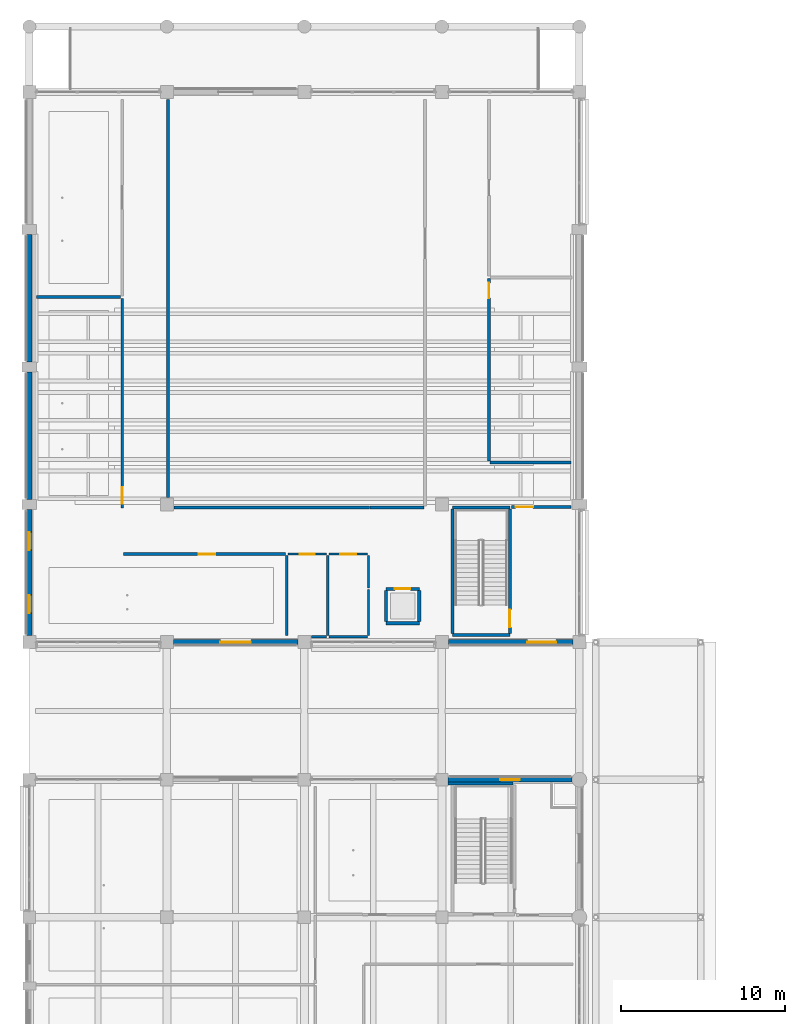
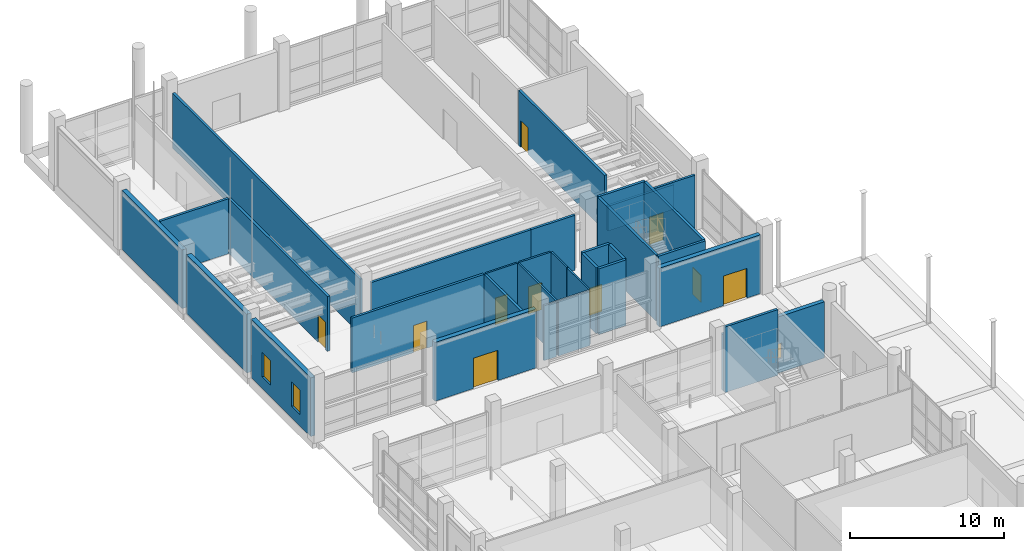
# One storey, part 63 of 140: 32 walls, 10 doors, 3 windows, 13 openings.
"""IFC4 building model written with IfcOpenShell, lengths in metres."""

from ifc_helpers import new_model, si_unit, direction, frame, frame_2d, origin, place, context, subcontext, project, spatial, rectangle, extrude, material, layer, layer_set, type_object, element, fill, save


model = new_model("IFC4")

# Units and contexts
model_context = context("Model", 3, precision=1e-05, world=origin(), true_north=direction((0.0, 1.0)))
body_context = subcontext(model_context, "Body", "Model", "MODEL_VIEW")
ifc_project = project(units=[si_unit("LENGTHUNIT", "METRE"), si_unit("AREAUNIT", "SQUARE_METRE"), si_unit("VOLUMEUNIT", "CUBIC_METRE"), si_unit("PLANEANGLEUNIT", "RADIAN"), si_unit("MASSUNIT", "GRAM", prefix="KILO")], contexts=[model_context])

# Site, building, storey
site_placement = place(None, origin())
site = spatial("IfcSite", under=ifc_project, at=site_placement, CompositionType="ELEMENT")
building_placement = place(site_placement, origin())
building = spatial("IfcBuilding", under=site, at=building_placement, Name="Telukmera Botanical Conservatory", CompositionType="ELEMENT")
storey_placement = place(building_placement, origin())
storey = spatial("IfcBuildingStorey", under=building, at=storey_placement, Name="L00", CompositionType="ELEMENT", Elevation=0.0)

# Wall, opening, door
ifc_material_1 = material(Name="Granite-faced precast concrete C40/50", Category="masonry")
ifc_layer_1 = layer(ifc_material_1, 0.340087890625)
ifc_layer_set_1 = layer_set([ifc_layer_1], Name="Granite-faced precast concrete C40/50")
wall_type_1 = type_object("IfcWallType", Name="Exterior Fluted Acoustic Precast Auditorium Wall 340", PredefinedType="SOLIDWALL", material=ifc_layer_set_1)
wall_1_placement = place(storey_placement, frame((17.201904296875, 83.199951171875, 0.0), z_axis=(0.0, 0.0, 1.0), x_axis=(1.0, 0.0, 0.0)))
wall_1 = element("IfcWall", 1, at=wall_1_placement, inside=storey, type_object=wall_type_1, Name="Exterior Precast Wall EW03 V2:L00:S2", PredefinedType="SOLIDWALL", context=body_context, shape_type="SweptSolid", body=[
    extrude(rectangle(XDim=7.59619140625, YDim=0.340087890625, at=frame_2d((3.798095703125, 0.0))), origin(), (0.0, 0.0, 1.0), 4.64990234375),
])
opening_1_placement = place(wall_1_placement, frame((2.873046875, 0.0, 0.0)))
opening_1 = element("IfcOpeningElement", 2, at=opening_1_placement, cuts=wall_1, Name="Opening D010", PredefinedType="OPENING", context=body_context, shape_type="SweptSolid", body=[
    extrude(rectangle(XDim=1.85009765625, YDim=2.39990234375, at=frame_2d((0.925048828125, 1.199951171875))), frame((0.0, 0.179931640625, 0.0), z_axis=(0.0, -1.0, 0.0), x_axis=(1.0, 0.0, 0.0)), (0.0, 0.0, 1.0), 0.360107421875),
])
ifc_material_2 = material(Name="Thermally broken anodised aluminium glazed door assembly", Category="aluminium")
door_type_1 = type_object("IfcDoorType", Name="Auditorium South Foyer Courtyard Exit Door 1850x2400", OperationType="NOTDEFINED", PredefinedType="DOOR", material=ifc_material_2)
door_1_placement = place(opening_1_placement, frame((1.85009765625, 0.0, 0.0), z_axis=(0.0, 0.0, 1.0), x_axis=(-1.0, 0.0, 0.0)))
door_1 = element("IfcDoor", 3, at=door_1_placement, inside=storey, type_object=door_type_1, Name="Exterior Door D010", OperationType="DOUBLE_DOOR_SINGLE_SWING", OverallHeight=2.39990234375, OverallWidth=1.85009765625, PredefinedType="DOOR", context=body_context, shape_type="SweptSolid", body=[
    extrude(rectangle(XDim=1.85009765625, YDim=2.39990234375, at=frame_2d((0.925048828125, 1.199951171875))), frame((0.0, 0.02490234375, 0.0), z_axis=(0.0, -1.0, 0.0), x_axis=(1.0, 0.0, 0.0)), (0.0, 0.0, 1.0), 0.050048828125),
])
fill(opening_1, door_1)

wall_2_placement = place(storey_placement, frame((34.001953125, 83.199951171875, 0.0), z_axis=(0.0, 0.0, 1.0), x_axis=(1.0, 0.0, 0.0)))
wall_2 = element("IfcWall", 4, at=wall_2_placement, inside=storey, type_object=wall_type_1, Name="Exterior Precast Wall EW03 V2:L00:S4", PredefinedType="SOLIDWALL", context=body_context, shape_type="SweptSolid", body=[
    extrude(rectangle(XDim=7.595947265625, YDim=0.340087890625, at=frame_2d((3.7978515625, 0.0))), origin(), (0.0, 0.0, 1.0), 4.64990234375),
])
opening_2_placement = place(wall_2_placement, frame((4.822998046875, 0.0, 0.0)))
opening_2 = element("IfcOpeningElement", 5, at=opening_2_placement, cuts=wall_2, Name="Opening D013", PredefinedType="OPENING", context=body_context, shape_type="SweptSolid", body=[
    extrude(rectangle(XDim=1.75, YDim=2.35009765625, at=frame_2d((0.875, 1.175048828125))), frame((0.0, 0.179931640625, 0.0), z_axis=(0.0, -1.0, 0.0), x_axis=(1.0, 0.0, 0.0)), (0.0, 0.0, 1.0), 0.360107421875),
])
door_type_2 = type_object("IfcDoorType", Name="Protected Stair Exit Vestibule Final Exit Door 1750x2350", OperationType="NOTDEFINED", PredefinedType="DOOR", material=ifc_material_2)
door_2_placement = place(opening_2_placement, frame((1.75, 0.0, 0.0), z_axis=(0.0, 0.0, 1.0), x_axis=(-1.0, 0.0, 0.0)))
door_2 = element("IfcDoor", 6, at=door_2_placement, inside=storey, type_object=door_type_2, Name="Exterior Door D013", OperationType="DOUBLE_DOOR_SINGLE_SWING", OverallHeight=2.35009765625, OverallWidth=1.75, PredefinedType="DOOR", context=body_context, shape_type="SweptSolid", body=[
    extrude(rectangle(XDim=1.75, YDim=2.35009765625, at=frame_2d((0.875, 1.175048828125))), frame((0.0, 0.02490234375, 0.0), z_axis=(0.0, -1.0, 0.0), x_axis=(1.0, 0.0, 0.0)), (0.0, 0.0, 1.0), 0.050048828125),
])
fill(opening_2, door_2)

# Wall, openings, windows
wall_3_placement = place(storey_placement, frame((8.39990234375, 83.60205078125, 0.0), z_axis=(0.0, 0.0, 1.0), x_axis=(0.0, 1.0, 0.0)))
wall_3 = element("IfcWall", 7, at=wall_3_placement, inside=storey, type_object=wall_type_1, Name="Exterior Precast Wall EW03 V2:L00:W1", PredefinedType="SOLIDWALL", context=body_context, shape_type="SweptSolid", body=[
    extrude(rectangle(XDim=7.696044921875, YDim=0.340087890625, at=frame_2d((3.84814453125, 0.0))), origin(), (0.0, 0.0, 1.0), 4.64990234375),
])
opening_3_placement = place(wall_3_placement, frame((1.3740234375, 0.0, 0.89990234375)))
opening_3 = element("IfcOpeningElement", 8, at=opening_3_placement, cuts=wall_3, Name="Opening W02", PredefinedType="OPENING", context=body_context, shape_type="SweptSolid", body=[
    extrude(rectangle(XDim=1.10009765625, YDim=1.949951171875, at=frame_2d((0.550048828125, 0.97509765625))), frame((0.0, 0.179931640625, 0.0), z_axis=(0.0, -1.0, 0.0), x_axis=(1.0, 0.0, 0.0)), (0.0, 0.0, 1.0), 0.360107421875),
])
opening_4_placement = place(wall_3_placement, frame((5.221923828125, 0.0, 0.89990234375)))
opening_4 = element("IfcOpeningElement", 9, at=opening_4_placement, cuts=wall_3, Name="Opening W02", PredefinedType="OPENING", context=body_context, shape_type="SweptSolid", body=[
    extrude(rectangle(XDim=1.10009765625, YDim=1.949951171875, at=frame_2d((0.550048828125, 0.97509765625))), frame((0.0, 0.179931640625, 0.0), z_axis=(0.0, -1.0, 0.0), x_axis=(1.0, 0.0, 0.0)), (0.0, 0.0, 1.0), 0.360107421875),
])
ifc_material_3 = material(Name="Thermally broken anodised aluminium frame with low-E double glazing", Category="aluminium")
window_type_1 = type_object("IfcWindowType", Name="Single Fixed Exhibition Pier Window 1100x1950", PartitioningType="SINGLE_PANEL", PredefinedType="WINDOW", material=ifc_material_3)
window_1_placement = place(opening_3_placement, origin())
window_1 = element("IfcWindow", 10, at=window_1_placement, inside=storey, type_object=window_type_1, Name="Facade Window W02 V2:L00:W1 1", OverallHeight=1.949951171875, OverallWidth=1.10009765625, PartitioningType="SINGLE_PANEL", PredefinedType="WINDOW", context=body_context, shape_type="SweptSolid", body=[
    extrude(rectangle(XDim=1.10009765625, YDim=1.949951171875, at=frame_2d((0.550048828125, 0.97509765625))), frame((0.0, 0.030029296875, 0.0), z_axis=(0.0, -1.0, 0.0), x_axis=(1.0, 0.0, 0.0)), (0.0, 0.0, 1.0), 0.06005859375),
])
fill(opening_3, window_1)
window_2_placement = place(opening_4_placement, origin())
window_2 = element("IfcWindow", 11, at=window_2_placement, inside=storey, type_object=window_type_1, Name="Facade Window W02 V2:L00:W1 2", OverallHeight=1.949951171875, OverallWidth=1.10009765625, PartitioningType="SINGLE_PANEL", PredefinedType="WINDOW", context=body_context, shape_type="SweptSolid", body=[
    extrude(rectangle(XDim=1.10009765625, YDim=1.949951171875, at=frame_2d((0.550048828125, 0.97509765625))), frame((0.0, 0.030029296875, 0.0), z_axis=(0.0, -1.0, 0.0), x_axis=(1.0, 0.0, 0.0)), (0.0, 0.0, 1.0), 0.06005859375),
])
fill(opening_4, window_2)

# Walls
for number, where, z_axis, x_axis, name in (
    (12, (8.39990234375, 91.902099609375, 0.0), (0.0, 0.0, 1.0), (0.0, 1.0, 0.0), "Exterior Precast Wall EW03 V2:L00:W2"),
    (13, (8.39990234375, 100.302001953125, 0.0), (0.0, 0.0, 1.0), (0.0, 1.0, 0.0), "Exterior Precast Wall EW03 V2:L00:W3"),
):
    element("IfcWall", number, at=place(storey_placement, frame(where, z_axis=z_axis, x_axis=x_axis)), inside=storey, type_object=wall_type_1, Name=name, PredefinedType="SOLIDWALL", context=body_context, shape_type="SweptSolid", body=[
        extrude(rectangle(XDim=7.7958984375, YDim=0.340087890625, at=frame_2d((3.89794921875, 0.0))), origin(), (0.0, 0.0, 1.0), 4.64990234375),
    ])

# Wall, opening, window
ifc_material_4 = material(Name="Terracotta-faced precast concrete C40/50", Category="masonry")
ifc_layer_2 = layer(ifc_material_4, 0.300048828125)
ifc_layer_set_2 = layer_set([ifc_layer_2], Name="Terracotta-faced precast concrete C40/50")
wall_type_2 = type_object("IfcWallType", Name="Exterior Polychrome Terracotta Precast Wall 300", PredefinedType="SOLIDWALL", material=ifc_layer_set_2)
wall_4_placement = place(storey_placement, frame((33.97705078125, 74.800048828125, 0.0), z_axis=(0.0, 0.0, 1.0), x_axis=(1.0, 0.0, 0.0)))
wall_4 = element("IfcWall", 14, at=wall_4_placement, inside=storey, type_object=wall_type_2, Name="Exterior Precast Wall EW02 V3:L00:N4", PredefinedType="SOLIDWALL", context=body_context, shape_type="SweptSolid", body=[
    extrude(rectangle(XDim=7.571044921875, YDim=0.300048828125, at=frame_2d((3.78564453125, 0.0))), origin(), (0.0, 0.0, 1.0), 4.449951171875),
])
opening_5_placement = place(wall_4_placement, frame((3.185546875, 0.0, 1.10009765625)))
opening_5 = element("IfcOpeningElement", 15, at=opening_5_placement, cuts=wall_4, Name="Opening W03", PredefinedType="OPENING", context=body_context, shape_type="SweptSolid", body=[
    extrude(rectangle(XDim=1.199951171875, YDim=1.199951171875, at=frame_2d((0.60009765625, 0.60009765625))), frame((0.0, 0.159912109375, 0.0), z_axis=(0.0, -1.0, 0.0), x_axis=(1.0, 0.0, 0.0)), (0.0, 0.0, 1.0), 0.320068359375),
])
window_type_2 = type_object("IfcWindowType", Name="Postmodern Square Ocular Feature Window 1200x1200", PartitioningType="SINGLE_PANEL", PredefinedType="WINDOW", material=ifc_material_3)
window_3_placement = place(opening_5_placement, origin())
window_3 = element("IfcWindow", 16, at=window_3_placement, inside=storey, type_object=window_type_2, Name="Facade Window W03 V3:L00:N4", OverallHeight=1.199951171875, OverallWidth=1.199951171875, PartitioningType="SINGLE_PANEL", PredefinedType="WINDOW", context=body_context, shape_type="SweptSolid", body=[
    extrude(rectangle(XDim=1.199951171875, YDim=1.199951171875, at=frame_2d((0.60009765625, 0.60009765625))), frame((0.0, 0.030029296875, 0.0), z_axis=(0.0, -1.0, 0.0), x_axis=(1.0, 0.0, 0.0)), (0.0, 0.0, 1.0), 0.06005859375),
])
fill(opening_5, window_3)

# Wall
ifc_material_5 = material(Name="Blockwork acoustic masonry", Category="masonry")
ifc_layer_3 = layer(ifc_material_5, 0.179931640625)
ifc_layer_set_3 = layer_set([ifc_layer_3], Name="Blockwork acoustic masonry")
wall_type_3 = type_object("IfcWallType", Name="WT-AUD-180", PredefinedType="PARTITIONING", material=ifc_layer_set_3)
wall_5_placement = place(storey_placement, frame((29.199951171875, 91.425048828125, 0.0), z_axis=(0.0, 0.0, 1.0), x_axis=(1.0, 0.0, 0.0)))
element("IfcWall", 17, at=wall_5_placement, inside=storey, type_object=wall_type_3, Name="L00 Interior Partition 46", PredefinedType="PARTITIONING", context=body_context, shape_type="SweptSolid", body=[
    extrude(rectangle(XDim=3.300048828125, YDim=0.179931640625, at=frame_2d((1.64990234375, 0.0))), origin(), (0.0, 0.0, 1.0), 4.35009765625),
])

# Wall, opening, door
wall_6_placement = place(storey_placement, frame((14.14990234375, 88.574951171875, 0.0), z_axis=(0.0, 0.0, 1.0), x_axis=(1.0, 0.0, 0.0)))
wall_6 = element("IfcWall", 18, at=wall_6_placement, inside=storey, type_object=wall_type_3, Name="L00 Interior Partition 49", PredefinedType="PARTITIONING", context=body_context, shape_type="SweptSolid", body=[
    extrude(rectangle(XDim=9.900146484375, YDim=0.179931640625, at=frame_2d((4.9501953125, 0.0))), origin(), (0.0, 0.0, 1.0), 4.35009765625),
])
opening_6_placement = place(wall_6_placement, frame((4.60009765625, 0.0, 0.0)))
opening_6 = element("IfcOpeningElement", 19, at=opening_6_placement, cuts=wall_6, Name="Opening ID14", PredefinedType="OPENING", context=body_context, shape_type="SweptSolid", body=[
    extrude(rectangle(XDim=1.0, YDim=2.14990234375, at=frame_2d((0.5, 1.074951171875))), frame((0.0, 0.099853515625, 0.0), z_axis=(0.0, -1.0, 0.0), x_axis=(1.0, 0.0, 0.0)), (0.0, 0.0, 1.0), 0.199951171875),
])
ifc_material_6 = material(Name="Acoustic timber office door", Category="wood")
door_type_3 = type_object("IfcDoorType", Name="DT-WRT-100", OperationType="NOTDEFINED", PredefinedType="DOOR", material=ifc_material_6)
door_3_placement = place(opening_6_placement, frame((1.0, 0.0, 0.0), z_axis=(0.0, 0.0, 1.0), x_axis=(-1.0, 0.0, 0.0)))
door_3 = element("IfcDoor", 20, at=door_3_placement, inside=storey, type_object=door_type_3, Name="L00 Auditorium Foyer Door", OperationType="SINGLE_SWING_RIGHT", OverallHeight=2.14990234375, OverallWidth=1.0, PredefinedType="DOOR", context=body_context, shape_type="SweptSolid", body=[
    extrude(rectangle(XDim=1.0, YDim=2.14990234375, at=frame_2d((0.5, 1.074951171875))), frame((0.0, 0.02490234375, 0.0), z_axis=(0.0, -1.0, 0.0), x_axis=(1.0, 0.0, 0.0)), (0.0, 0.0, 1.0), 0.050048828125),
])
fill(opening_6, door_3)

# Walls
wall_7_placement = place(storey_placement, frame((17.22998046875, 91.425048828125, 0.0), z_axis=(0.0, 0.0, 1.0), x_axis=(1.0, 0.0, 0.0)))
element("IfcWall", 21, at=wall_7_placement, inside=storey, type_object=wall_type_3, Name="L00 Interior Partition 50", PredefinedType="PARTITIONING", context=body_context, shape_type="SweptSolid", body=[
    extrude(rectangle(XDim=11.9599609375, YDim=0.179931640625, at=frame_2d((5.97998046875, 0.0))), origin(), (0.0, 0.0, 1.0), 4.35009765625),
])
wall_8_placement = place(storey_placement, frame((24.125, 83.60009765625, 0.0), z_axis=(0.0, 0.0, 1.0), x_axis=(0.0, 1.0, 0.0)))
element("IfcWall", 22, at=wall_8_placement, inside=storey, type_object=wall_type_3, Name="L00 Interior Partition 53", PredefinedType="PARTITIONING", context=body_context, shape_type="SweptSolid", body=[
    extrude(rectangle(XDim=4.875, YDim=0.179931640625, at=frame_2d((2.4375, 0.0))), origin(), (0.0, 0.0, 1.0), 4.35009765625),
])
wall_9_placement = place(storey_placement, frame((16.875, 92.030029296875, 0.0), z_axis=(0.0, 0.0, 1.0), x_axis=(0.0, 1.0, 0.0)))
element("IfcWall", 23, at=wall_9_placement, inside=storey, type_object=wall_type_3, Name="L00 Interior Partition 54", PredefinedType="PARTITIONING", context=body_context, shape_type="SweptSolid", body=[
    extrude(rectangle(XDim=24.320068359375, YDim=0.179931640625, at=frame_2d((12.16015625, 0.0))), origin(), (0.0, 0.0, 1.0), 4.35009765625),
])

# Wall, opening, door
wall_10_placement = place(storey_placement, frame((14.074951171875, 91.39990234375, 0.0), z_axis=(0.0, 0.0, 1.0), x_axis=(0.0, 1.0, 0.0)))
wall_10 = element("IfcWall", 24, at=wall_10_placement, inside=storey, type_object=wall_type_3, Name="L00 Interior Partition 56", PredefinedType="PARTITIONING", context=body_context, shape_type="SweptSolid", body=[
    extrude(rectangle(XDim=12.800048828125, YDim=0.179931640625, at=frame_2d((6.39990234375, 0.0))), origin(), (0.0, 0.0, 1.0), 4.35009765625),
])
opening_7_placement = place(wall_10_placement, frame((0.25, 0.0, 0.0)))
opening_7 = element("IfcOpeningElement", 25, at=opening_7_placement, cuts=wall_10, Name="Opening ID14", PredefinedType="OPENING", context=body_context, shape_type="SweptSolid", body=[
    extrude(rectangle(XDim=1.0, YDim=2.14990234375, at=frame_2d((0.5, 1.074951171875))), frame((0.0, 0.099853515625, 0.0), z_axis=(0.0, -1.0, 0.0), x_axis=(1.0, 0.0, 0.0)), (0.0, 0.0, 1.0), 0.199951171875),
])
door_4_placement = place(opening_7_placement, origin())
door_4 = element("IfcDoor", 26, at=door_4_placement, inside=storey, type_object=door_type_3, Name="L00 Auditorium Green Room Door", OperationType="SINGLE_SWING_RIGHT", OverallHeight=2.14990234375, OverallWidth=1.0, PredefinedType="DOOR", context=body_context, shape_type="SweptSolid", body=[
    extrude(rectangle(XDim=1.0, YDim=2.14990234375, at=frame_2d((0.5, 1.074951171875))), frame((0.0, 0.02490234375, 0.0), z_axis=(0.0, -1.0, 0.0), x_axis=(1.0, 0.0, 0.0)), (0.0, 0.0, 1.0), 0.050048828125),
])
fill(opening_7, door_4)

# Walls
wall_11_placement = place(storey_placement, frame((8.85009765625, 104.27490234375, 0.0), z_axis=(0.0, 0.0, 1.0), x_axis=(1.0, 0.0, 0.0)))
element("IfcWall", 27, at=wall_11_placement, inside=storey, type_object=wall_type_3, Name="L00 Interior Partition 58", PredefinedType="PARTITIONING", context=body_context, shape_type="SweptSolid", body=[
    extrude(rectangle(XDim=5.125, YDim=0.179931640625, at=frame_2d((2.5625, 0.0))), origin(), (0.0, 0.0, 1.0), 4.35009765625),
])
wall_12_placement = place(storey_placement, frame((36.550048828125, 94.175048828125, 0.0), z_axis=(0.0, 0.0, 1.0), x_axis=(1.0, 0.0, 0.0)))
element("IfcWall", 28, at=wall_12_placement, inside=storey, type_object=wall_type_3, Name="L00 Interior Partition 59", PredefinedType="PARTITIONING", context=body_context, shape_type="SweptSolid", body=[
    extrude(rectangle(XDim=4.949951171875, YDim=0.179931640625, at=frame_2d((2.47509765625, 0.0))), origin(), (0.0, 0.0, 1.0), 1.962890625),
])

# Wall, opening, door
wall_13_placement = place(storey_placement, frame((36.47509765625, 94.27490234375, 0.0), z_axis=(0.0, 0.0, 1.0), x_axis=(0.0, 1.0, 0.0)))
wall_13 = element("IfcWall", 29, at=wall_13_placement, inside=storey, type_object=wall_type_3, Name="L00 Interior Partition 60", PredefinedType="PARTITIONING", context=body_context, shape_type="SweptSolid", body=[
    extrude(rectangle(XDim=11.125, YDim=0.179931640625, at=frame_2d((5.5625, 0.0))), origin(), (0.0, 0.0, 1.0), 4.35009765625),
])
opening_8_placement = place(wall_13_placement, frame((9.93505859375, 0.0, 0.0)))
opening_8 = element("IfcOpeningElement", 30, at=opening_8_placement, cuts=wall_13, Name="Opening ID16", PredefinedType="OPENING", context=body_context, shape_type="SweptSolid", body=[
    extrude(rectangle(XDim=0.93994140625, YDim=2.10009765625, at=frame_2d((0.469970703125, 1.050048828125))), frame((0.0, 0.099853515625, 0.0), z_axis=(0.0, -1.0, 0.0), x_axis=(1.0, 0.0, 0.0)), (0.0, 0.0, 1.0), 0.199951171875),
])
ifc_material_7 = material(Name="Steel utility store fire door", Category="steel")
door_type_4 = type_object("IfcDoorType", Name="DT-STR-094", OperationType="NOTDEFINED", PredefinedType="DOOR", material=ifc_material_7)
door_5_placement = place(opening_8_placement, frame((0.93994140625, 0.0, 0.0), z_axis=(0.0, 0.0, 1.0), x_axis=(-1.0, 0.0, 0.0)))
door_5 = element("IfcDoor", 31, at=door_5_placement, inside=storey, type_object=door_type_4, Name="L00 Acoustic Equipment Store Door", OperationType="SINGLE_SWING_RIGHT", OverallHeight=2.10009765625, OverallWidth=0.93994140625, PredefinedType="DOOR", context=body_context, shape_type="SweptSolid", body=[
    extrude(rectangle(XDim=0.93994140625, YDim=2.10009765625, at=frame_2d((0.469970703125, 1.050048828125))), frame((0.0, 0.02490234375, 0.0), z_axis=(0.0, -1.0, 0.0), x_axis=(1.0, 0.0, 0.0)), (0.0, 0.0, 1.0), 0.050048828125),
])
fill(opening_8, door_5)

ifc_material_8 = material(Name="Concrete C40/50", Category="concrete")
ifc_layer_4 = layer(ifc_material_8, 0.199951171875)
ifc_layer_set_4 = layer_set([ifc_layer_4], Name="Concrete C40/50")
wall_type_4 = type_object("IfcWallType", Name="WT-CORE-200", PredefinedType="SOLIDWALL", material=ifc_layer_set_4)
wall_14_placement = place(storey_placement, frame((30.179931640625, 86.449951171875, 0.0), z_axis=(0.0, 0.0, 1.0), x_axis=(1.0, 0.0, 0.0)))
wall_14 = element("IfcWall", 32, at=wall_14_placement, inside=storey, type_object=wall_type_4, Name="L00 Lift VL2 Front Wall", PredefinedType="SOLIDWALL", context=body_context, shape_type="SweptSolid", body=[
    extrude(rectangle(XDim=2.0400390625, YDim=0.199951171875, at=frame_2d((1.02001953125, 0.0))), origin(), (0.0, 0.0, 1.0), 5.199951171875),
])
opening_9_placement = place(wall_14_placement, frame((0.544921875, 0.0, 0.0)))
opening_9 = element("IfcOpeningElement", 33, at=opening_9_placement, cuts=wall_14, Name="Opening LD04", PredefinedType="OPENING", context=body_context, shape_type="SweptSolid", body=[
    extrude(rectangle(XDim=0.949951171875, YDim=2.14990234375, at=frame_2d((0.47509765625, 1.074951171875))), frame((0.0, 0.10986328125, 0.0), z_axis=(0.0, -1.0, 0.0), x_axis=(1.0, 0.0, 0.0)), (0.0, 0.0, 1.0), 0.219970703125),
])
ifc_material_9 = material(Name="Anodised aluminium and glass", Category="aluminium")
door_type_5 = type_object("IfcDoorType", Name="DT-LD04", OperationType="SLIDING_TO_LEFT", PredefinedType="DOOR", material=ifc_material_9)
door_6_placement = place(opening_9_placement, origin())
door_6 = element("IfcDoor", 34, at=door_6_placement, inside=storey, type_object=door_type_5, Name="L00 Lift Landing Door VL2", OperationType="SLIDING_TO_LEFT", OverallHeight=2.14990234375, OverallWidth=0.949951171875, PredefinedType="DOOR", context=body_context, shape_type="SweptSolid", body=[
    extrude(rectangle(XDim=0.949951171875, YDim=2.14990234375, at=frame_2d((0.47509765625, 1.074951171875))), frame((0.0, 0.02490234375, 0.0), z_axis=(0.0, -1.0, 0.0), x_axis=(1.0, 0.0, 0.0)), (0.0, 0.0, 1.0), 0.050048828125),
])
fill(opening_9, door_6)

# Walls
wall_15_placement = place(storey_placement, frame((30.179931640625, 84.35009765625, 0.0), z_axis=(0.0, 0.0, 1.0), x_axis=(1.0, 0.0, 0.0)))
element("IfcWall", 35, at=wall_15_placement, inside=storey, type_object=wall_type_4, Name="L00 Lift VL2 Rear Wall", PredefinedType="SOLIDWALL", context=body_context, shape_type="SweptSolid", body=[
    extrude(rectangle(XDim=2.0400390625, YDim=0.199951171875, at=frame_2d((1.02001953125, 0.0))), origin(), (0.0, 0.0, 1.0), 5.199951171875),
])
for number, where, z_axis, x_axis, name in (
    (36, (30.179931640625, 84.449951171875, 0.0), (0.0, 0.0, 1.0), (0.0, 1.0, 0.0), "L00 Lift VL2 W Wall"),
    (37, (32.219970703125, 84.449951171875, 0.0), (0.0, 0.0, 1.0), (0.0, 1.0, 0.0), "L00 Lift VL2 E Wall"),
):
    element("IfcWall", number, at=place(storey_placement, frame(where, z_axis=z_axis, x_axis=x_axis)), inside=storey, type_object=wall_type_4, Name=name, PredefinedType="SOLIDWALL", context=body_context, shape_type="SweptSolid", body=[
        extrude(rectangle(XDim=1.900146484375, YDim=0.199951171875, at=frame_2d((0.9501953125, 0.0))), origin(), (0.0, 0.0, 1.0), 5.199951171875),
    ])

# Wall, opening, door
ifc_material_10 = material(Name="Blockwork masonry", Category="masonry")
ifc_layer_5 = layer(ifc_material_10, 0.169921875)
ifc_layer_set_5 = layer_set([ifc_layer_5], Name="Blockwork masonry")
wall_type_5 = type_object("IfcWallType", Name="WT-PLANT-170", PredefinedType="PARTITIONING", material=ifc_layer_set_5)
wall_16_placement = place(storey_placement, frame((37.85009765625, 91.449951171875, 0.0), z_axis=(0.0, 0.0, 1.0), x_axis=(1.0, 0.0, 0.0)))
wall_16 = element("IfcWall", 38, at=wall_16_placement, inside=storey, type_object=wall_type_5, Name="L00 Interior Partition 52", PredefinedType="PARTITIONING", context=body_context, shape_type="SweptSolid", body=[
    extrude(rectangle(XDim=3.64990234375, YDim=0.169921875, at=frame_2d((1.824951171875, 0.0))), origin(), (0.0, 0.0, 1.0), 4.35009765625),
])
opening_10_placement = place(wall_16_placement, frame((0.25, 0.0, 0.0)))
opening_10 = element("IfcOpeningElement", 39, at=opening_10_placement, cuts=wall_16, Name="Opening FD60E", PredefinedType="OPENING", context=body_context, shape_type="SweptSolid", body=[
    extrude(rectangle(XDim=1.080078125, YDim=2.14990234375, at=frame_2d((0.5400390625, 1.074951171875))), frame((0.0, 0.094970703125, 0.0), z_axis=(0.0, -1.0, 0.0), x_axis=(1.0, 0.0, 0.0)), (0.0, 0.0, 1.0), 0.18994140625),
])
ifc_material_11 = material(Name="Hardwood fire door", Category="wood")
door_type_6 = type_object("IfcDoorType", Name="DT-FD60-05", OperationType="NOTDEFINED", PredefinedType="DOOR", material=ifc_material_11)
door_7_placement = place(opening_10_placement, frame((1.080078125, 0.0, 0.0), z_axis=(0.0, 0.0, 1.0), x_axis=(-1.0, 0.0, 0.0)))
door_7 = element("IfcDoor", 40, at=door_7_placement, inside=storey, type_object=door_type_6, Name="L00 ST6 Exit Vestibule Corridor Fire Door", OperationType="SINGLE_SWING_LEFT", OverallHeight=2.14990234375, OverallWidth=1.080078125, PredefinedType="DOOR", context=body_context, shape_type="SweptSolid", body=[
    extrude(rectangle(XDim=1.080078125, YDim=2.14990234375, at=frame_2d((0.5400390625, 1.074951171875))), frame((0.0, 0.02490234375, 0.0), z_axis=(0.0, -1.0, 0.0), x_axis=(1.0, 0.0, 0.0)), (0.0, 0.0, 1.0), 0.050048828125),
])
fill(opening_10, door_7)

# Walls
ifc_layer_6 = layer(ifc_material_8, 0.18994140625)
ifc_layer_set_6 = layer_set([ifc_layer_6], Name="Concrete C40/50")
wall_type_6 = type_object("IfcWallType", Name="WT-STAIR-190", PredefinedType="SOLIDWALL", material=ifc_layer_set_6)
wall_17_placement = place(storey_placement, frame((33.97509765625, 74.56005859375, 0.0), z_axis=(0.0, 0.0, 1.0), x_axis=(1.0, 0.0, 0.0)))
element("IfcWall", 41, at=wall_17_placement, inside=storey, type_object=wall_type_6, Name="L00 Stair ST4 North Wall", PredefinedType="SOLIDWALL", context=body_context, shape_type="SweptSolid", body=[
    extrude(rectangle(XDim=3.954833984375, YDim=0.18994140625, at=frame_2d((1.9775390625, 0.0))), origin(), (0.0, 0.0, 1.0), 5.199951171875),
])
for number, where, z_axis, x_axis, name in (
    (42, (34.25, 83.639892578125, 0.0), (0.0, 0.0, 1.0), (1.0, 0.0, 0.0), "L00 Stair ST6 South Wall"),
    (43, (34.25, 91.419921875, 0.0), (0.0, 0.0, 1.0), (1.0, 0.0, 0.0), "L00 Stair ST6 North Wall"),
):
    element("IfcWall", number, at=place(storey_placement, frame(where, z_axis=z_axis, x_axis=x_axis)), inside=storey, type_object=wall_type_6, Name=name, PredefinedType="SOLIDWALL", context=body_context, shape_type="SweptSolid", body=[
        extrude(rectangle(XDim=3.5, YDim=0.18994140625, at=frame_2d((1.75, 0.0))), origin(), (0.0, 0.0, 1.0), 5.199951171875),
    ])
wall_18_placement = place(storey_placement, frame((34.25, 83.739990234375, 0.0), z_axis=(0.0, 0.0, 1.0), x_axis=(0.0, 1.0, 0.0)))
element("IfcWall", 44, at=wall_18_placement, inside=storey, type_object=wall_type_6, Name="L00 Stair ST6 West Wall", PredefinedType="SOLIDWALL", context=body_context, shape_type="SweptSolid", body=[
    extrude(rectangle(XDim=7.580078125, YDim=0.18994140625, at=frame_2d((3.7900390625, 0.0))), origin(), (0.0, 0.0, 1.0), 5.199951171875),
])

# Wall, opening, door
wall_19_placement = place(storey_placement, frame((37.75, 83.739990234375, 0.0), z_axis=(0.0, 0.0, 1.0), x_axis=(0.0, 1.0, 0.0)))
wall_19 = element("IfcWall", 45, at=wall_19_placement, inside=storey, type_object=wall_type_6, Name="L00 Stair ST6 East Wall", PredefinedType="SOLIDWALL", context=body_context, shape_type="SweptSolid", body=[
    extrude(rectangle(XDim=7.580078125, YDim=0.18994140625, at=frame_2d((3.7900390625, 0.0))), origin(), (0.0, 0.0, 1.0), 5.199951171875),
])
opening_11_placement = place(wall_19_placement, frame((0.360107421875, 0.0, 0.0)))
opening_11 = element("IfcOpeningElement", 46, at=opening_11_placement, cuts=wall_19, Name="Opening FD60E", PredefinedType="OPENING", context=body_context, shape_type="SweptSolid", body=[
    extrude(rectangle(XDim=1.080078125, YDim=2.14990234375, at=frame_2d((0.5400390625, 1.074951171875))), frame((0.0, 0.10498046875, 0.0), z_axis=(0.0, -1.0, 0.0), x_axis=(1.0, 0.0, 0.0)), (0.0, 0.0, 1.0), 0.2099609375),
])
door_8_placement = place(opening_11_placement, origin())
door_8 = element("IfcDoor", 47, at=door_8_placement, inside=storey, type_object=door_type_6, Name="L00 Stair ST6 Door", OperationType="SINGLE_SWING_RIGHT", OverallHeight=2.14990234375, OverallWidth=1.080078125, PredefinedType="DOOR", context=body_context, shape_type="SweptSolid", body=[
    extrude(rectangle(XDim=1.080078125, YDim=2.14990234375, at=frame_2d((0.5400390625, 1.074951171875))), frame((0.0, 0.02490234375, 0.0), z_axis=(0.0, -1.0, 0.0), x_axis=(1.0, 0.0, 0.0)), (0.0, 0.0, 1.0), 0.050048828125),
])
fill(opening_11, door_8)

# Wall
ifc_material_12 = material(Name="Moisture-resistant blockwork", Category="masonry")
ifc_layer_7 = layer(ifc_material_12, 0.135009765625)
ifc_layer_set_7 = layer_set([ifc_layer_7], Name="Moisture-resistant blockwork")
wall_type_7 = type_object("IfcWallType", Name="WT-WC-135", PredefinedType="PARTITIONING", material=ifc_layer_set_7)
wall_20_placement = place(storey_placement, frame((29.125, 86.5, 0.0), z_axis=(0.0, 0.0, 1.0), x_axis=(0.0, 1.0, 0.0)))
element("IfcWall", 48, at=wall_20_placement, inside=storey, type_object=wall_type_7, Name="L00 Interior Partition 45", PredefinedType="PARTITIONING", context=body_context, shape_type="SweptSolid", body=[
    extrude(rectangle(XDim=2.0, YDim=0.135009765625, at=frame_2d((1.0, 0.0))), origin(), (0.0, 0.0, 1.0), 4.35009765625),
])

# Wall, opening, door
wall_21_placement = place(storey_placement, frame((26.699951171875, 88.574951171875, 0.0), z_axis=(0.0, 0.0, 1.0), x_axis=(1.0, 0.0, 0.0)))
wall_21 = element("IfcWall", 49, at=wall_21_placement, inside=storey, type_object=wall_type_7, Name="L00 Interior Partition 47", PredefinedType="PARTITIONING", context=body_context, shape_type="SweptSolid", body=[
    extrude(rectangle(XDim=2.35009765625, YDim=0.135009765625, at=frame_2d((1.175048828125, 0.0))), origin(), (0.0, 0.0, 1.0), 4.35009765625),
])
opening_12_placement = place(wall_21_placement, frame((0.68505859375, 0.0, 0.0)))
opening_12 = element("IfcOpeningElement", 50, at=opening_12_placement, cuts=wall_21, Name="Opening ID15", PredefinedType="OPENING", context=body_context, shape_type="SweptSolid", body=[
    extrude(rectangle(XDim=0.97998046875, YDim=2.14990234375, at=frame_2d((0.489990234375, 1.074951171875))), frame((0.0, 0.077392578125, 0.0), z_axis=(0.0, -1.0, 0.0), x_axis=(1.0, 0.0, 0.0)), (0.0, 0.0, 1.0), 0.155029296875),
])
ifc_material_13 = material(Name="Accessible sanitary laminate door")
door_type_7 = type_object("IfcDoorType", Name="DT-OKU-098", OperationType="NOTDEFINED", PredefinedType="DOOR", material=ifc_material_13)
door_9_placement = place(opening_12_placement, origin())
door_9 = element("IfcDoor", 51, at=door_9_placement, inside=storey, type_object=door_type_7, Name="L00 Accessible WC Door", OperationType="SINGLE_SWING_RIGHT", OverallHeight=2.14990234375, OverallWidth=0.97998046875, PredefinedType="DOOR", context=body_context, shape_type="SweptSolid", body=[
    extrude(rectangle(XDim=0.97998046875, YDim=2.14990234375, at=frame_2d((0.489990234375, 1.074951171875))), frame((0.0, 0.02490234375, 0.0), z_axis=(0.0, -1.0, 0.0), x_axis=(1.0, 0.0, 0.0)), (0.0, 0.0, 1.0), 0.050048828125),
])
fill(opening_12, door_9)

wall_22_placement = place(storey_placement, frame((24.199951171875, 88.574951171875, 0.0), z_axis=(0.0, 0.0, 1.0), x_axis=(1.0, 0.0, 0.0)))
wall_22 = element("IfcWall", 52, at=wall_22_placement, inside=storey, type_object=wall_type_7, Name="L00 Interior Partition 48", PredefinedType="PARTITIONING", context=body_context, shape_type="SweptSolid", body=[
    extrude(rectangle(XDim=2.35009765625, YDim=0.135009765625, at=frame_2d((1.175048828125, 0.0))), origin(), (0.0, 0.0, 1.0), 4.35009765625),
])
opening_13_placement = place(wall_22_placement, frame((0.715087890625, 0.0, 0.0)))
opening_13 = element("IfcOpeningElement", 53, at=opening_13_placement, cuts=wall_22, Name="Opening ID17", PredefinedType="OPENING", context=body_context, shape_type="SweptSolid", body=[
    extrude(rectangle(XDim=0.919921875, YDim=2.1201171875, at=frame_2d((0.4599609375, 1.06005859375))), frame((0.0, 0.077392578125, 0.0), z_axis=(0.0, -1.0, 0.0), x_axis=(1.0, 0.0, 0.0)), (0.0, 0.0, 1.0), 0.155029296875),
])
ifc_material_14 = material(Name="Moisture-resistant laminate WC door")
door_type_8 = type_object("IfcDoorType", Name="DT-WC-092", OperationType="NOTDEFINED", PredefinedType="DOOR", material=ifc_material_14)
door_10_placement = place(opening_13_placement, origin())
door_10 = element("IfcDoor", 54, at=door_10_placement, inside=storey, type_object=door_type_8, Name="L00 Public WC Door", OperationType="SINGLE_SWING_LEFT", OverallHeight=2.1201171875, OverallWidth=0.919921875, PredefinedType="DOOR", context=body_context, shape_type="SweptSolid", body=[
    extrude(rectangle(XDim=0.919921875, YDim=2.1201171875, at=frame_2d((0.4599609375, 1.06005859375))), frame((0.0, 0.02490234375, 0.0), z_axis=(0.0, -1.0, 0.0), x_axis=(1.0, 0.0, 0.0)), (0.0, 0.0, 1.0), 0.050048828125),
])
fill(opening_13, door_10)

# Walls
wall_23_placement = place(storey_placement, frame((26.625, 83.60009765625, 0.0), z_axis=(0.0, 0.0, 1.0), x_axis=(0.0, 1.0, 0.0)))
element("IfcWall", 55, at=wall_23_placement, inside=storey, type_object=wall_type_7, Name="L00 Interior Partition 51", PredefinedType="PARTITIONING", context=body_context, shape_type="SweptSolid", body=[
    extrude(rectangle(XDim=4.89990234375, YDim=0.135009765625, at=frame_2d((2.449951171875, 0.0))), origin(), (0.0, 0.0, 1.0), 4.35009765625),
])
wall_24_placement = place(storey_placement, frame((26.702392578125, 83.532470703125, 0.0), z_axis=(0.0, 0.0, 1.0), x_axis=(1.0, 0.0, 0.0)))
element("IfcWall", 56, at=wall_24_placement, inside=storey, type_object=wall_type_7, Name="L00 WC Enclosure Partition 07", PredefinedType="PARTITIONING", context=body_context, shape_type="SweptSolid", body=[
    extrude(rectangle(XDim=2.34765625, YDim=0.135009765625, at=frame_2d((1.173828125, 0.0))), origin(), (0.0, 0.0, 1.0), 4.35009765625),
])
wall_25_placement = place(storey_placement, frame((29.117431640625, 83.610107421875, 0.0), z_axis=(0.0, 0.0, 1.0), x_axis=(0.0, 1.0, 0.0)))
element("IfcWall", 57, at=wall_25_placement, inside=storey, type_object=wall_type_7, Name="L00 WC Enclosure Partition 08", PredefinedType="PARTITIONING", context=body_context, shape_type="SweptSolid", body=[
    extrude(rectangle(XDim=2.809814453125, YDim=0.135009765625, at=frame_2d((1.40478515625, 0.0))), origin(), (0.0, 0.0, 1.0), 4.35009765625),
])
wall_26_placement = place(storey_placement, frame((25.6298828125, 83.532470703125, 0.0), z_axis=(0.0, 0.0, 1.0), x_axis=(1.0, 0.0, 0.0)))
element("IfcWall", 58, at=wall_26_placement, inside=storey, type_object=wall_type_7, Name="L00 WC Enclosure Partition 09", PredefinedType="PARTITIONING", context=body_context, shape_type="SweptSolid", body=[
    extrude(rectangle(XDim=0.917724609375, YDim=0.135009765625, at=frame_2d((0.458984375, 0.0))), origin(), (0.0, 0.0, 1.0), 4.35009765625),
])

save(model, "model.ifc")
